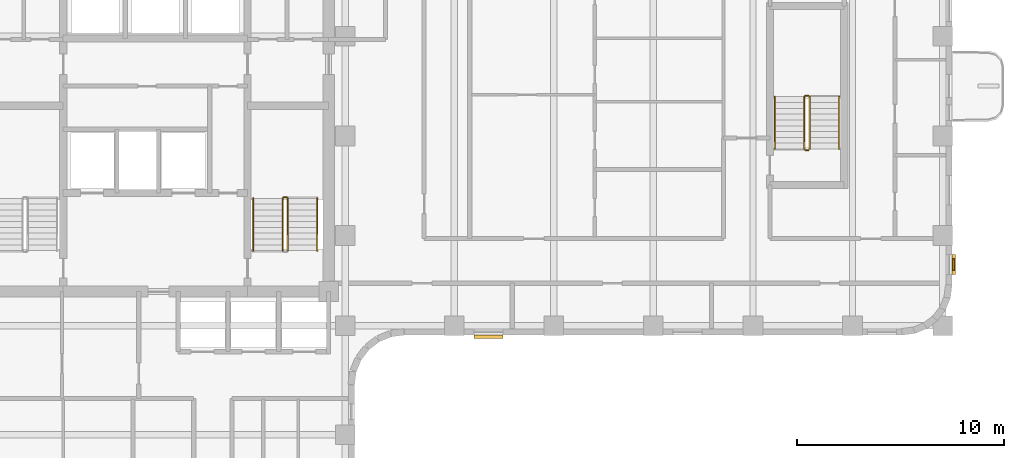
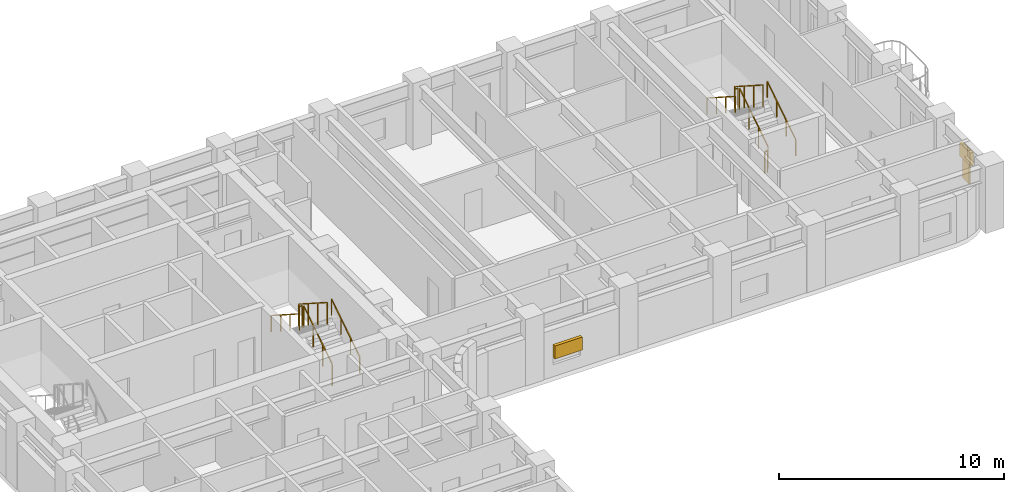
# One storey, part 9 of 10: 11 railings, 3 shading devices.
"""IFC4 building model written with IfcOpenShell, lengths in metres."""

from ifc_helpers import new_model, si_unit, direction, frame, origin, origin_2d, place, context, subcontext, project, spatial, rectangle, extrude, material, type_object, element, save


model = new_model("IFC4")

# Units and contexts
model_context = context("Model", 3, precision=1e-05, world=origin(), true_north=direction((0.0, 1.0)))
body_context = subcontext(model_context, "Body", "Model", "MODEL_VIEW")
ifc_project = project(units=[si_unit("LENGTHUNIT", "METRE"), si_unit("AREAUNIT", "SQUARE_METRE"), si_unit("VOLUMEUNIT", "CUBIC_METRE"), si_unit("PLANEANGLEUNIT", "RADIAN"), si_unit("MASSUNIT", "GRAM", prefix="KILO")], contexts=[model_context])

# Site, building, storey
site_placement = place(None, origin())
site = spatial("IfcSite", under=ifc_project, at=site_placement, CompositionType="ELEMENT")
building_placement = place(site_placement, origin())
building = spatial("IfcBuilding", under=site, at=building_placement, Name="Orvandelia Arch Residences", CompositionType="ELEMENT")
storey_placement = place(building_placement, frame((0.0, 0.0, 136.0)))
storey = spatial("IfcBuildingStorey", under=building, at=storey_placement, Name="L35", CompositionType="ELEMENT", Elevation=136.0)

# Railings
ifc_material_1 = material(Name="Brushed Stainless Steel 304", Category="steel")
railing_type_1 = type_object("IfcRailingType", Name="RL-STAIR-GD1120", PredefinedType="GUARDRAIL", material=ifc_material_1)
railing_1_placement = place(storey_placement, frame((20.780029296875, 32.8701171875, 0.179931640625)))
element("IfcRailing", 1, at=railing_1_placement, inside=storey, type_object=railing_type_1, Name="L35 ST-2 stair guard 1", PredefinedType="GUARDRAIL", context=body_context, shape_type="SweptSolid", body=[
    extrude(rectangle(XDim=0.048095703125, YDim=0.048095703125, at=origin_2d()), frame((0.0, 0.0, 1.17578125), z_axis=(0.0, 0.841138753965, 0.540819375188), x_axis=(-1.0, 0.0, 0.0)), (0.0, 0.0, 1.0), 2.99560546875),
    extrude(rectangle(XDim=0.0419921875, YDim=0.0419921875, at=origin_2d()), origin(), (0.0, 0.0, 1.0), 1.15185546875),
    extrude(rectangle(XDim=0.0419921875, YDim=0.0419921875, at=origin_2d()), frame((0.0, 0.83984375, 0.5400390625)), (0.0, 0.0, 1.0), 1.15185546875),
    extrude(rectangle(XDim=0.0419921875, YDim=0.0419921875, at=origin_2d()), frame((0.0, 1.679931640625, 1.080078125)), (0.0, 0.0, 1.0), 1.15185546875),
    extrude(rectangle(XDim=0.0419921875, YDim=0.0419921875, at=origin_2d()), frame((0.0, 2.519775390625, 1.6201171875)), (0.0, 0.0, 1.0), 1.15185546875),
])
railing_2_placement = place(storey_placement, frame((20.72998046875, 35.43994140625, 1.800048828125)))
element("IfcRailing", 2, at=railing_2_placement, inside=storey, type_object=railing_type_1, Name="L35 ST-2 stair guard 2", PredefinedType="GUARDRAIL", context=body_context, shape_type="SweptSolid", body=[
    extrude(rectangle(XDim=0.048095703125, YDim=0.048095703125, at=origin_2d()), frame((0.0, 0.0, 1.17578125), z_axis=(-1.0, 0.0, 0.0), x_axis=(0.0, -1.0, 0.0)), (0.0, 0.0, 1.0), 0.14990234375),
    extrude(rectangle(XDim=0.0419921875, YDim=0.0419921875, at=origin_2d()), origin(), (0.0, 0.0, 1.0), 1.15185546875),
    extrude(rectangle(XDim=0.0419921875, YDim=0.0419921875, at=origin_2d()), frame((-0.14990234375, 0.0, 0.0)), (0.0, 0.0, 1.0), 1.15185546875),
])
railing_3_placement = place(storey_placement, frame((20.530029296875, 35.389892578125, 1.97998046875)))
element("IfcRailing", 3, at=railing_3_placement, inside=storey, type_object=railing_type_1, Name="L35 ST-2 stair guard 3", PredefinedType="GUARDRAIL", context=body_context, shape_type="SweptSolid", body=[
    extrude(rectangle(XDim=0.048095703125, YDim=0.048095703125, at=origin_2d()), frame((0.0, 0.0, 1.17578125), z_axis=(0.0, -0.841138753965, 0.540819375188), x_axis=(1.0, 0.0, 0.0)), (0.0, 0.0, 1.0), 2.99560546875),
    extrude(rectangle(XDim=0.0419921875, YDim=0.0419921875, at=origin_2d()), origin(), (0.0, 0.0, 1.0), 1.15185546875),
    extrude(rectangle(XDim=0.0419921875, YDim=0.0419921875, at=origin_2d()), frame((0.0, -0.83984375, 0.5400390625)), (0.0, 0.0, 1.0), 1.15185546875),
    extrude(rectangle(XDim=0.0419921875, YDim=0.0419921875, at=origin_2d()), frame((0.0, -1.679931640625, 1.080078125)), (0.0, 0.0, 1.0), 1.15185546875),
    extrude(rectangle(XDim=0.0419921875, YDim=0.0419921875, at=origin_2d()), frame((0.0, -2.519775390625, 1.6201171875)), (0.0, 0.0, 1.0), 1.15185546875),
])
railing_4_placement = place(storey_placement, frame((45.929931640625, 37.77001953125, 0.179931640625)))
element("IfcRailing", 4, at=railing_4_placement, inside=storey, type_object=railing_type_1, Name="L35 ST-3 stair guard 1", PredefinedType="GUARDRAIL", context=body_context, shape_type="SweptSolid", body=[
    extrude(rectangle(XDim=0.048095703125, YDim=0.048095703125, at=origin_2d()), frame((0.0, 0.0, 1.17578125), z_axis=(0.0, 0.841162588446, 0.540782303519), x_axis=(-1.0, 0.0, 0.0)), (0.0, 0.0, 1.0), 2.995849609375),
    extrude(rectangle(XDim=0.0419921875, YDim=0.0419921875, at=origin_2d()), origin(), (0.0, 0.0, 1.0), 1.15185546875),
    extrude(rectangle(XDim=0.0419921875, YDim=0.0419921875, at=origin_2d()), frame((0.0, 0.840087890625, 0.5400390625)), (0.0, 0.0, 1.0), 1.15185546875),
    extrude(rectangle(XDim=0.0419921875, YDim=0.0419921875, at=origin_2d()), frame((0.0, 1.679931640625, 1.080078125)), (0.0, 0.0, 1.0), 1.15185546875),
    extrude(rectangle(XDim=0.0419921875, YDim=0.0419921875, at=origin_2d()), frame((0.0, 2.52001953125, 1.6201171875)), (0.0, 0.0, 1.0), 1.15185546875),
])
railing_5_placement = place(storey_placement, frame((45.8798828125, 40.340087890625, 1.800048828125)))
element("IfcRailing", 5, at=railing_5_placement, inside=storey, type_object=railing_type_1, Name="L35 ST-3 stair guard 2", PredefinedType="GUARDRAIL", context=body_context, shape_type="SweptSolid", body=[
    extrude(rectangle(XDim=0.048095703125, YDim=0.048095703125, at=origin_2d()), frame((0.0, 0.0, 1.17578125), z_axis=(-1.0, 0.0, 0.0), x_axis=(0.0, -1.0, 0.0)), (0.0, 0.0, 1.0), 0.14990234375),
    extrude(rectangle(XDim=0.0419921875, YDim=0.0419921875, at=origin_2d()), origin(), (0.0, 0.0, 1.0), 1.15185546875),
    extrude(rectangle(XDim=0.0419921875, YDim=0.0419921875, at=origin_2d()), frame((-0.14990234375, 0.0, 0.0)), (0.0, 0.0, 1.0), 1.15185546875),
])
railing_6_placement = place(storey_placement, frame((45.679931640625, 40.2900390625, 1.97998046875)))
element("IfcRailing", 6, at=railing_6_placement, inside=storey, type_object=railing_type_1, Name="L35 ST-3 stair guard 3", PredefinedType="GUARDRAIL", context=body_context, shape_type="SweptSolid", body=[
    extrude(rectangle(XDim=0.048095703125, YDim=0.048095703125, at=origin_2d()), frame((0.0, 0.0, 1.17578125), z_axis=(0.0, -0.841162588446, 0.540782303519), x_axis=(1.0, 0.0, 0.0)), (0.0, 0.0, 1.0), 2.995849609375),
    extrude(rectangle(XDim=0.0419921875, YDim=0.0419921875, at=origin_2d()), origin(), (0.0, 0.0, 1.0), 1.15185546875),
    extrude(rectangle(XDim=0.0419921875, YDim=0.0419921875, at=origin_2d()), frame((0.0, -0.840087890625, 0.5400390625)), (0.0, 0.0, 1.0), 1.15185546875),
    extrude(rectangle(XDim=0.0419921875, YDim=0.0419921875, at=origin_2d()), frame((0.0, -1.679931640625, 1.080078125)), (0.0, 0.0, 1.0), 1.15185546875),
    extrude(rectangle(XDim=0.0419921875, YDim=0.0419921875, at=origin_2d()), frame((0.0, -2.52001953125, 1.6201171875)), (0.0, 0.0, 1.0), 1.15185546875),
])
railing_7_placement = place(storey_placement, frame((45.8798828125, 37.719970703125, 0.0)))
element("IfcRailing", 7, at=railing_7_placement, inside=storey, type_object=railing_type_1, Name="L35 ST-3 stair guard 4", PredefinedType="GUARDRAIL", context=body_context, shape_type="SweptSolid", body=[
    extrude(rectangle(XDim=0.048095703125, YDim=0.048095703125, at=origin_2d()), frame((0.0, 0.0, 1.17578125), z_axis=(-1.0, 0.0, 0.0), x_axis=(0.0, -1.0, 0.0)), (0.0, 0.0, 1.0), 0.14990234375),
    extrude(rectangle(XDim=0.0419921875, YDim=0.0419921875, at=origin_2d()), origin(), (0.0, 0.0, 1.0), 1.15185546875),
    extrude(rectangle(XDim=0.0419921875, YDim=0.0419921875, at=origin_2d()), frame((-0.14990234375, 0.0, 0.0)), (0.0, 0.0, 1.0), 1.15185546875),
])
railing_type_2 = type_object("IfcRailingType", Name="RL-STAIR-HR920", PredefinedType="HANDRAIL", material=ifc_material_1)
railing_8_placement = place(storey_placement, frame((22.199951171875, 32.8701171875, 0.360107421875)))
element("IfcRailing", 8, at=railing_8_placement, inside=storey, type_object=railing_type_2, Name="L35 ST-2 stair handrail 1", PredefinedType="HANDRAIL", context=body_context, shape_type="SweptSolid", body=[
    extrude(rectangle(XDim=0.048095703125, YDim=0.048095703125, at=origin_2d()), frame((0.0, 0.0, 0.8759765625), z_axis=(0.0, 0.841175827307, 0.540761710511), x_axis=(-1.0, 0.0, 0.0)), (0.0, 0.0, 1.0), 2.99560546875),
    extrude(rectangle(XDim=0.0419921875, YDim=0.0419921875, at=origin_2d()), origin(), (0.0, 0.0, 1.0), 0.851806640625),
    extrude(rectangle(XDim=0.0419921875, YDim=0.0419921875, at=origin_2d()), frame((0.0, 0.83984375, 0.5400390625)), (0.0, 0.0, 1.0), 0.851806640625),
    extrude(rectangle(XDim=0.0419921875, YDim=0.0419921875, at=origin_2d()), frame((0.0, 1.679931640625, 1.079833984375)), (0.0, 0.0, 1.0), 0.851806640625),
    extrude(rectangle(XDim=0.0419921875, YDim=0.0419921875, at=origin_2d()), frame((0.0, 2.519775390625, 1.619873046875)), (0.0, 0.0, 1.0), 0.851806640625),
])
railing_9_placement = place(storey_placement, frame((19.110107421875, 35.389892578125, 2.159912109375)))
element("IfcRailing", 9, at=railing_9_placement, inside=storey, type_object=railing_type_2, Name="L35 ST-2 stair handrail 2", PredefinedType="HANDRAIL", context=body_context, shape_type="SweptSolid", body=[
    extrude(rectangle(XDim=0.048095703125, YDim=0.048095703125, at=origin_2d()), frame((0.0, 0.0, 0.8759765625), z_axis=(0.0, -0.841138753965, 0.540819375188), x_axis=(1.0, 0.0, 0.0)), (0.0, 0.0, 1.0), 2.99560546875),
    extrude(rectangle(XDim=0.0419921875, YDim=0.0419921875, at=origin_2d()), origin(), (0.0, 0.0, 1.0), 0.851806640625),
    extrude(rectangle(XDim=0.0419921875, YDim=0.0419921875, at=origin_2d()), frame((0.0, -0.83984375, 0.5400390625)), (0.0, 0.0, 1.0), 0.851806640625),
    extrude(rectangle(XDim=0.0419921875, YDim=0.0419921875, at=origin_2d()), frame((0.0, -1.679931640625, 1.080078125)), (0.0, 0.0, 1.0), 0.851806640625),
    extrude(rectangle(XDim=0.0419921875, YDim=0.0419921875, at=origin_2d()), frame((0.0, -2.519775390625, 1.6201171875)), (0.0, 0.0, 1.0), 0.851806640625),
])
railing_10_placement = place(storey_placement, frame((47.35009765625, 37.77001953125, 0.360107421875)))
element("IfcRailing", 10, at=railing_10_placement, inside=storey, type_object=railing_type_2, Name="L35 ST-3 stair handrail 1", PredefinedType="HANDRAIL", context=body_context, shape_type="SweptSolid", body=[
    extrude(rectangle(XDim=0.048095703125, YDim=0.048095703125, at=origin_2d()), frame((0.0, 0.0, 0.8759765625), z_axis=(0.0, 0.841199657755, 0.540724639528), x_axis=(-1.0, 0.0, 0.0)), (0.0, 0.0, 1.0), 2.995849609375),
    extrude(rectangle(XDim=0.0419921875, YDim=0.0419921875, at=origin_2d()), origin(), (0.0, 0.0, 1.0), 0.851806640625),
    extrude(rectangle(XDim=0.0419921875, YDim=0.0419921875, at=origin_2d()), frame((0.0, 0.840087890625, 0.5400390625)), (0.0, 0.0, 1.0), 0.851806640625),
    extrude(rectangle(XDim=0.0419921875, YDim=0.0419921875, at=origin_2d()), frame((0.0, 1.679931640625, 1.079833984375)), (0.0, 0.0, 1.0), 0.851806640625),
    extrude(rectangle(XDim=0.0419921875, YDim=0.0419921875, at=origin_2d()), frame((0.0, 2.52001953125, 1.619873046875)), (0.0, 0.0, 1.0), 0.851806640625),
])
railing_11_placement = place(storey_placement, frame((44.260009765625, 40.2900390625, 2.159912109375)))
element("IfcRailing", 11, at=railing_11_placement, inside=storey, type_object=railing_type_2, Name="L35 ST-3 stair handrail 2", PredefinedType="HANDRAIL", context=body_context, shape_type="SweptSolid", body=[
    extrude(rectangle(XDim=0.048095703125, YDim=0.048095703125, at=origin_2d()), frame((0.0, 0.0, 0.8759765625), z_axis=(0.0, -0.841162588446, 0.540782303519), x_axis=(1.0, 0.0, 0.0)), (0.0, 0.0, 1.0), 2.995849609375),
    extrude(rectangle(XDim=0.0419921875, YDim=0.0419921875, at=origin_2d()), origin(), (0.0, 0.0, 1.0), 0.851806640625),
    extrude(rectangle(XDim=0.0419921875, YDim=0.0419921875, at=origin_2d()), frame((0.0, -0.840087890625, 0.5400390625)), (0.0, 0.0, 1.0), 0.851806640625),
    extrude(rectangle(XDim=0.0419921875, YDim=0.0419921875, at=origin_2d()), frame((0.0, -1.679931640625, 1.080078125)), (0.0, 0.0, 1.0), 0.851806640625),
    extrude(rectangle(XDim=0.0419921875, YDim=0.0419921875, at=origin_2d()), frame((0.0, -2.52001953125, 1.6201171875)), (0.0, 0.0, 1.0), 0.851806640625),
])

# Shading devices
ifc_material_2 = material(Name="Anodised Champagne-Bronze Extruded Aluminium", Category="aluminium")
shading_device_type_1 = type_object("IfcShadingDeviceType", Name="SHD-JALOUSIE-SCREEN", PredefinedType="JALOUSIE", material=ifc_material_2)
shading_device_1_placement = place(storey_placement, frame((52.8798828125, 32.202392578125, 1.5498046875), z_axis=(0.0, 0.0, 1.0), x_axis=(0.0, -1.0, 0.0)))
element("IfcShadingDevice", 12, at=shading_device_1_placement, inside=storey, type_object=shading_device_type_1, Name="Bronze Jalousie Sun-Shade L35-003", PredefinedType="JALOUSIE", context=body_context, shape_type="SweptSolid", body=[
    extrude(rectangle(XDim=0.949951171875, YDim=0.159912109375, at=origin_2d()), origin(), (0.0, 0.0, 1.0), 0.699951171875),
])
shading_device_2_placement = place(storey_placement, frame((30.447509765625, 28.719970703125, 1.0498046875), z_axis=(0.0, 0.0, 1.0), x_axis=(-1.0, 0.0, 0.0)))
element("IfcShadingDevice", 13, at=shading_device_2_placement, inside=storey, type_object=shading_device_type_1, Name="Bronze Jalousie Sun-Shade L35-004", PredefinedType="JALOUSIE", context=body_context, shape_type="SweptSolid", body=[
    extrude(rectangle(XDim=1.39990234375, YDim=0.159912109375, at=origin_2d()), origin(), (0.0, 0.0, 1.0), 0.699951171875),
])
ifc_material_3 = material(Name="Marine-Grade Perforated Aluminium Storm Shutter", Category="aluminium")
shading_device_type_2 = type_object("IfcShadingDeviceType", Name="SHD-STORM-SHUTTER", PredefinedType="SHUTTER", material=ifc_material_3)
shading_device_3_placement = place(storey_placement, frame((52.8798828125, 32.202392578125, 0.4501953125), z_axis=(0.0, 0.0, 1.0), x_axis=(0.0, -1.0, 0.0)))
element("IfcShadingDevice", 14, at=shading_device_3_placement, inside=storey, type_object=shading_device_type_2, Name="Operable Typhoon Storm Shutter L35-003", PredefinedType="SHUTTER", context=body_context, shape_type="SweptSolid", body=[
    extrude(rectangle(XDim=0.550048828125, YDim=0.080078125, at=origin_2d()), origin(), (0.0, 0.0, 1.0), 1.800048828125),
])

save(model, "model.ifc")
